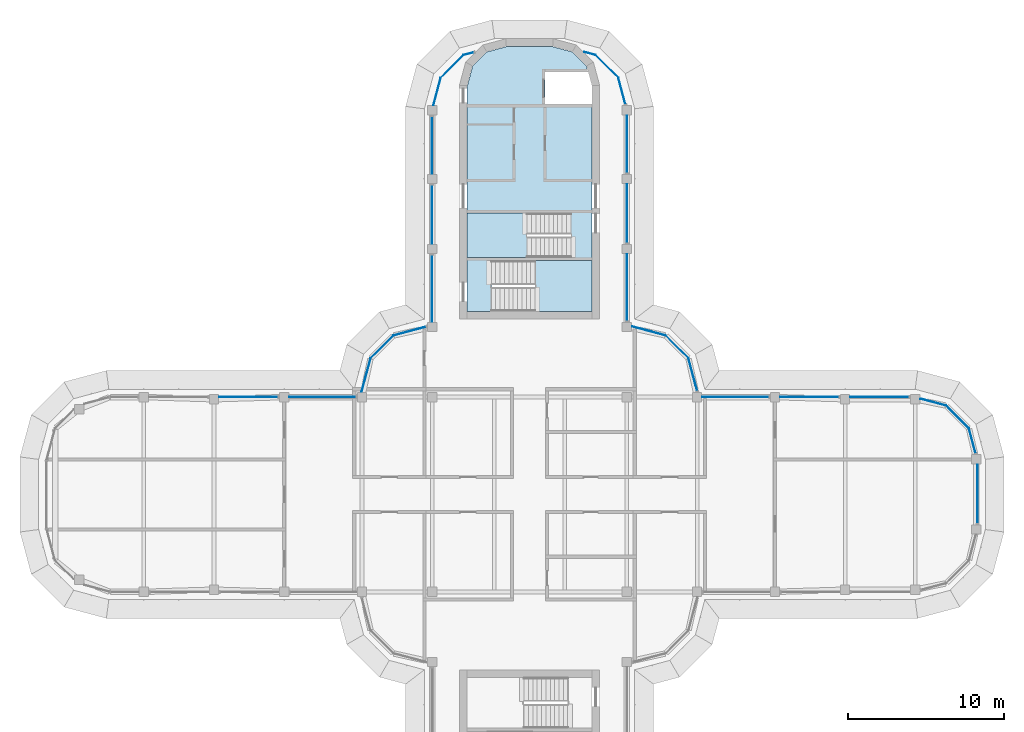
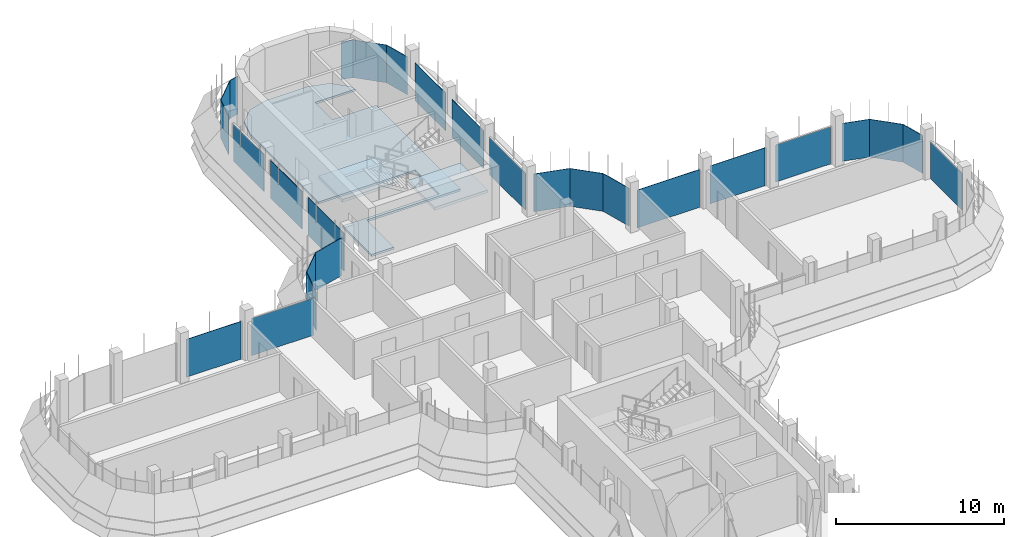
# One storey, part 12 of 19: 27 plates, 3 slabs, 22 elements without a shape of their own.
"""IFC4 building model written with IfcOpenShell, lengths in metres."""

from ifc_helpers import new_model, si_unit, direction, frame, origin, place, context, subcontext, project, spatial, polyline, outline, extrude, source, transform, mapped, material, layer, layer_set, type_object, element, aggregate, save


model = new_model("IFC4")

# Units and contexts
model_context = context("Model", 3, precision=1e-05, world=origin(), true_north=direction((0.0, 1.0)))
body_context = subcontext(model_context, "Body", "Model", "MODEL_VIEW")
ifc_project = project(units=[si_unit("LENGTHUNIT", "METRE"), si_unit("AREAUNIT", "SQUARE_METRE"), si_unit("VOLUMEUNIT", "CUBIC_METRE"), si_unit("PLANEANGLEUNIT", "RADIAN"), si_unit("MASSUNIT", "GRAM", prefix="KILO")], contexts=[model_context])

# Site, building, storey
site_placement = place(None, origin())
site = spatial("IfcSite", under=ifc_project, at=site_placement, CompositionType="ELEMENT")
building_placement = place(site_placement, origin())
building = spatial("IfcBuilding", under=site, at=building_placement, Name="Zarbagh Exchange Tower", CompositionType="ELEMENT")
storey_placement = place(building_placement, frame((0.0, 0.0, 265.0)))
storey = spatial("IfcBuildingStorey", under=building, at=storey_placement, Name="L65", CompositionType="ELEMENT", Elevation=265.0)

# Slab
ifc_material_1 = material(Name="Concrete C40/50", Category="concrete")
ifc_layer_1 = layer(ifc_material_1, 0.14990234375)
ifc_layer_set_1 = layer_set([ifc_layer_1], Name="Core floor slab 150 C40/50")
slab_type_1 = type_object("IfcSlabType", Name="Core floor slab 150 C40/50", PredefinedType="FLOOR", material=ifc_layer_set_1)
slab_1_placement = place(storey_placement, frame((0.0, 0.0, -0.14990234375)))
element("IfcSlab", 1, at=slab_1_placement, inside=storey, type_object=slab_type_1, Name="S17 core N", PredefinedType="FLOOR", context=body_context, shape_type="SweptSolid", body=[
    extrude(outline(polyline([(-4.0, 11.75), (-4.0, 15.199951171875), (2.64990234375, 15.199951171875), (2.64990234375, 18.050048828125), (-4.0, 18.050048828125), (-4.0, 26.18408203125), (-3.64990234375, 27.4912109375), (-2.7412109375, 28.39990234375), (-1.43408203125, 28.75), (1.43408203125, 28.75), (2.7412109375, 28.39990234375), (3.64990234375, 27.4912109375), (3.857666015625, 26.715087890625), (3.754638671875, 27.10009765625), (1.0, 27.10009765625), (1.0, 25.050048828125), (4.0, 25.050048828125), (4.0, 15.0), (-2.449951171875, 15.0), (-2.449951171875, 11.75), (-4.0, 11.75)])), origin(), (0.0, 0.0, 1.0), 0.14990234375),
])

# Stair, slab
stair_type = type_object("IfcStairType", Name="Exit stair two-flight half-turn", PredefinedType="HALF_TURN_STAIR", material=ifc_material_1)
stair_1_placement = place(storey_placement, origin())
stair_1 = element("IfcStair", 2, at=stair_1_placement, inside=storey, type_object=stair_type, Name="exit stair ST1", PredefinedType="HALF_TURN_STAIR")
ifc_layer_2 = layer(ifc_material_1, 0.199951171875)
ifc_layer_set_2 = layer_set([ifc_layer_2], Name="Stair landing 200 mm")
slab_type_2 = type_object("IfcSlabType", Name="Stair landing 200 mm", PredefinedType="LANDING", material=ifc_layer_set_2)
slab_2_placement = place(storey_placement, frame((0.0, 0.0, 1.699951171875)))
slab_2 = element("IfcSlab", 3, at=slab_2_placement, type_object=slab_type_2, Name="ST1 landing 1", PredefinedType="LANDING", context=body_context, shape_type="SweptSolid", body=[
    extrude(outline(polyline([(-0.14990234375, 18.050048828125), (-4.0, 18.050048828125), (-4.0, 15.199951171875), (-0.14990234375, 15.199951171875), (-0.14990234375, 18.050048828125)])), origin(), (0.0, 0.0, 1.0), 0.199951171875),
])
aggregate(stair_1, [slab_2])

stair_2_placement = place(storey_placement, origin())
stair_2 = element("IfcStair", 4, at=stair_2_placement, inside=storey, type_object=stair_type, Name="exit stair ST2", PredefinedType="HALF_TURN_STAIR")
slab_3_placement = place(storey_placement, frame((0.0, 0.0, 1.699951171875)))
slab_3 = element("IfcSlab", 5, at=slab_3_placement, type_object=slab_type_2, Name="ST2 landing 1", PredefinedType="LANDING", context=body_context, shape_type="SweptSolid", body=[
    extrude(outline(polyline([(0.35009765625, 11.75), (4.0, 11.75), (4.0, 15.0), (0.35009765625, 15.0), (0.35009765625, 11.75)])), origin(), (0.0, 0.0, 1.0), 0.199951171875),
])
aggregate(stair_2, [slab_3])

# Curtain wall, plate
ifc_material_2 = material(Name="Anodised aluminium frame and glazing", Category="aluminium")
curtain_wall_type = type_object("IfcCurtainWallType", Name="CWB Ribbon glazing, upper zones", PredefinedType="NOTDEFINED", material=ifc_material_2)
curtain_wall_1_placement = place(storey_placement, origin())
curtain_wall_1 = element("IfcCurtainWall", 6, at=curtain_wall_1_placement, inside=storey, type_object=curtain_wall_type, Name="CWB80 curtain wall", PredefinedType="NOTDEFINED")
ifc_material_3 = material(Name="Low-e double glazed unit, 6+12+6 mm")
ifc_layer_3 = layer(ifc_material_3, 0.031982421875)
ifc_layer_set_3 = layer_set([ifc_layer_3], Name="PAB Glazing panel, Low-e double glazed unit, 6+12+6 mm")
plate_type = type_object("IfcPlateType", Name="PAB Glazing panel, Low-e double glazed unit, 6+12+6 mm", PredefinedType="CURTAIN_PANEL", material=ifc_layer_set_3)
shared_shape_1 = source(origin(), body_context, "Body", "SweptSolid", [
    extrude(outline(polyline([(0.0, -0.01611328125), (2.061279296875, -0.01611328125), (2.061279296875, 0.01611328125), (0.0, 0.01611328125), (0.0, -0.01611328125)])), origin(), (0.0, 0.0, 1.0), 2.75),
])
placement = place(storey_placement, origin())
plate_1 = element("IfcPlate", 7, at=placement, type_object=plate_type, Name="CWB80 glazing panel 1.1", PredefinedType="CURTAIN_PANEL", context=body_context, shape_type="MappedRepresentation", body=[
    mapped(shared_shape_1, transform((28.19873046875, 4.2412109375, 0.0), x_axis=(-0.707106781187, 0.707106781187, 0.0), y_axis=(-0.707106781187, -0.707106781187, 0.0), z_axis=(0.0, 0.0, 1.0))),
])
aggregate(curtain_wall_1, [plate_1])

curtain_wall_2_placement = place(storey_placement, origin())
curtain_wall_2 = element("IfcCurtainWall", 8, at=curtain_wall_2_placement, inside=storey, type_object=curtain_wall_type, Name="CWB18 curtain wall", PredefinedType="NOTDEFINED")
plate_2 = element("IfcPlate", 9, at=placement, type_object=plate_type, Name="CWB18 glazing panel 1.1", PredefinedType="CURTAIN_PANEL", context=body_context, shape_type="MappedRepresentation", body=[
    mapped(shared_shape_1, transform((10.19873046875, 8.7412109375, 0.0), x_axis=(-0.707106781187, 0.707106781187, 0.0), y_axis=(-0.707106781187, -0.707106781187, 0.0), z_axis=(0.0, 0.0, 1.0))),
])
aggregate(curtain_wall_2, [plate_2])

curtain_wall_3_placement = place(storey_placement, origin())
curtain_wall_3 = element("IfcCurtainWall", 10, at=curtain_wall_3_placement, inside=storey, type_object=curtain_wall_type, Name="CWB74 curtain wall", PredefinedType="NOTDEFINED")
plate_3 = element("IfcPlate", 11, at=placement, type_object=plate_type, Name="CWB74 glazing panel 1.1", PredefinedType="CURTAIN_PANEL", context=body_context, shape_type="MappedRepresentation", body=[
    mapped(shared_shape_1, transform((5.69873046875, 26.7412109375, 0.0), x_axis=(-0.707106781187, 0.707106781187, 0.0), y_axis=(-0.707106781187, -0.707106781187, 0.0), z_axis=(0.0, 0.0, 1.0))),
])
aggregate(curtain_wall_3, [plate_3])

curtain_wall_4_placement = place(storey_placement, origin())
curtain_wall_4 = element("IfcCurtainWall", 12, at=curtain_wall_4_placement, inside=storey, type_object=curtain_wall_type, Name="CWB71 curtain wall", PredefinedType="NOTDEFINED")
plate_4 = element("IfcPlate", 13, at=placement, type_object=plate_type, Name="CWB71 glazing panel 1.1", PredefinedType="CURTAIN_PANEL", context=body_context, shape_type="MappedRepresentation", body=[
    mapped(shared_shape_1, transform((-4.2412109375, 28.19873046875, 0.0), x_axis=(-0.707106781187, -0.707106781187, 0.0), y_axis=(0.707106781187, -0.707106781187, 0.0), z_axis=(0.0, 0.0, 1.0))),
])
aggregate(curtain_wall_4, [plate_4])

curtain_wall_5_placement = place(storey_placement, origin())
curtain_wall_5 = element("IfcCurtainWall", 14, at=curtain_wall_5_placement, inside=storey, type_object=curtain_wall_type, Name="CWB30 curtain wall", PredefinedType="NOTDEFINED")
plate_5 = element("IfcPlate", 15, at=placement, type_object=plate_type, Name="CWB30 glazing panel 1.1", PredefinedType="CURTAIN_PANEL", context=body_context, shape_type="MappedRepresentation", body=[
    mapped(shared_shape_1, transform((-8.7412109375, 10.19873046875, 0.0), x_axis=(-0.707106781187, -0.707106781187, 0.0), y_axis=(0.707106781187, -0.707106781187, 0.0), z_axis=(0.0, 0.0, 1.0))),
])
aggregate(curtain_wall_5, [plate_5])

curtain_wall_6_placement = place(storey_placement, origin())
curtain_wall_6 = element("IfcCurtainWall", 16, at=curtain_wall_6_placement, inside=storey, type_object=curtain_wall_type, Name="CWB81 curtain wall", PredefinedType="NOTDEFINED")
shared_shape_2 = source(origin(), body_context, "Body", "SweptSolid", [
    extrude(outline(polyline([(0.0, -0.01611328125), (1.70947265625, -0.01611328125), (1.70947265625, 0.01611328125), (0.0, 0.01611328125), (0.0, -0.01611328125)])), origin(), (0.0, 0.0, 1.0), 2.75),
])
plate_6 = element("IfcPlate", 17, at=placement, type_object=plate_type, Name="CWB81 glazing panel 1.1", PredefinedType="CURTAIN_PANEL", context=body_context, shape_type="MappedRepresentation", body=[
    mapped(shared_shape_2, transform((26.7412109375, 5.69873046875, 0.0), x_axis=(-0.965924289636, 0.258824779902, 0.0), y_axis=(-0.258824779902, -0.965924289636, 0.0), z_axis=(0.0, 0.0, 1.0))),
])
aggregate(curtain_wall_6, [plate_6])

curtain_wall_7_placement = place(storey_placement, origin())
curtain_wall_7 = element("IfcCurtainWall", 18, at=curtain_wall_7_placement, inside=storey, type_object=curtain_wall_type, Name="CWB79 curtain wall", PredefinedType="NOTDEFINED")
shared_shape_3 = source(origin(), body_context, "Body", "SweptSolid", [
    extrude(outline(polyline([(0.0, -0.01611328125), (1.6494140625, -0.01611328125), (1.6494140625, 0.01611328125), (0.0, 0.01611328125), (0.0, -0.01611328125)])), origin(), (0.0, 0.0, 1.0), 2.75),
])
plate_7 = element("IfcPlate", 19, at=placement, type_object=plate_type, Name="CWB79 glazing panel 1.1", PredefinedType="CURTAIN_PANEL", context=body_context, shape_type="MappedRepresentation", body=[
    mapped(shared_shape_3, transform((28.625732421875, 2.64794921875, 0.0), x_axis=(-0.258824779902, 0.965924289636, 0.0), y_axis=(-0.965924289636, -0.258824779902, 0.0), z_axis=(0.0, 0.0, 1.0))),
])
aggregate(curtain_wall_7, [plate_7])

curtain_wall_8_placement = place(storey_placement, origin())
curtain_wall_8 = element("IfcCurtainWall", 20, at=curtain_wall_8_placement, inside=storey, type_object=curtain_wall_type, Name="CWB67 curtain wall", PredefinedType="NOTDEFINED")
shared_shape_4 = source(origin(), body_context, "Body", "SweptSolid", [
    extrude(outline(polyline([(0.0, -0.01611328125), (3.659912109375, -0.01611328125), (3.659912109375, 0.01611328125), (0.0, 0.01611328125), (0.0, -0.01611328125)])), origin(), (0.0, 0.0, 1.0), 2.75),
])
plate_8 = element("IfcPlate", 21, at=placement, type_object=plate_type, Name="CWB67 glazing panel 3.1", PredefinedType="CURTAIN_PANEL", context=body_context, shape_type="MappedRepresentation", body=[
    mapped(shared_shape_4, transform((6.25, 20.650146484375, 0.0), x_axis=(0.0, 1.0, 0.0), y_axis=(-1.0, 0.0, 0.0), z_axis=(0.0, 0.0, 1.0))),
])

curtain_wall_9_placement = place(storey_placement, origin())
curtain_wall_9 = element("IfcCurtainWall", 22, at=curtain_wall_9_placement, inside=storey, type_object=curtain_wall_type, Name="CWB69 curtain wall", PredefinedType="NOTDEFINED")
shared_shape_5 = source(origin(), body_context, "Body", "SweptSolid", [
    extrude(outline(polyline([(0.0, -0.01611328125), (0.757080078125, -0.01611328125), (0.757080078125, 0.01611328125), (0.0, 0.01611328125), (0.0, -0.01611328125)])), origin(), (0.0, 0.0, 1.0), 2.75),
])
plate_9 = element("IfcPlate", 23, at=placement, type_object=plate_type, Name="CWB69 glazing panel 1.1", PredefinedType="CURTAIN_PANEL", context=body_context, shape_type="MappedRepresentation", body=[
    mapped(shared_shape_5, transform((4.2412109375, 28.19873046875, 0.0), x_axis=(-0.965924289636, 0.258824779902, 0.0), y_axis=(-0.258824779902, -0.965924289636, 0.0), z_axis=(0.0, 0.0, 1.0))),
])
aggregate(curtain_wall_9, [plate_9])

curtain_wall_10_placement = place(storey_placement, origin())
curtain_wall_10 = element("IfcCurtainWall", 24, at=curtain_wall_10_placement, inside=storey, type_object=curtain_wall_type, Name="CWB70 curtain wall", PredefinedType="NOTDEFINED")
shared_shape_6 = source(origin(), body_context, "Body", "SweptSolid", [
    extrude(outline(polyline([(0.0, -0.01611328125), (0.697021484375, -0.01611328125), (0.697021484375, 0.01611328125), (0.0, 0.01611328125), (0.0, -0.01611328125)])), origin(), (0.0, 0.0, 1.0), 2.75),
])
plate_10 = element("IfcPlate", 25, at=placement, type_object=plate_type, Name="CWB70 glazing panel 1.1", PredefinedType="CURTAIN_PANEL", context=body_context, shape_type="MappedRepresentation", body=[
    mapped(shared_shape_6, transform((-3.56787109375, 28.379150390625, 0.0), x_axis=(-0.965924289636, -0.258824779902, 0.0), y_axis=(0.258824779902, -0.965924289636, 0.0), z_axis=(0.0, 0.0, 1.0))),
])
aggregate(curtain_wall_10, [plate_10])

curtain_wall_11_placement = place(storey_placement, origin())
curtain_wall_11 = element("IfcCurtainWall", 26, at=curtain_wall_11_placement, inside=storey, type_object=curtain_wall_type, Name="CWB72 curtain wall", PredefinedType="NOTDEFINED")
shared_shape_7 = source(origin(), body_context, "Body", "SweptSolid", [
    extrude(outline(polyline([(0.0, -0.01611328125), (1.81298828125, -0.01611328125), (1.81298828125, 0.01611328125), (0.0, 0.01611328125), (0.0, -0.01611328125)])), origin(), (0.0, 0.0, 1.0), 2.75),
])
plate_11 = element("IfcPlate", 27, at=placement, type_object=plate_type, Name="CWB72 glazing panel 1.1", PredefinedType="CURTAIN_PANEL", context=body_context, shape_type="MappedRepresentation", body=[
    mapped(shared_shape_7, transform((-5.69873046875, 26.7412109375, 0.0), x_axis=(-0.258824779902, -0.965924289636, 0.0), y_axis=(0.965924289636, -0.258824779902, 0.0), z_axis=(0.0, 0.0, 1.0))),
])
aggregate(curtain_wall_11, [plate_11])

curtain_wall_12_placement = place(storey_placement, origin())
curtain_wall_12 = element("IfcCurtainWall", 28, at=curtain_wall_12_placement, inside=storey, type_object=curtain_wall_type, Name="CWB82 curtain wall", PredefinedType="NOTDEFINED")
shared_shape_8 = source(origin(), body_context, "Body", "SweptSolid", [
    extrude(outline(polyline([(0.0, -0.01611328125), (3.760009765625, -0.01611328125), (3.760009765625, 0.01611328125), (0.0, 0.01611328125), (0.0, -0.01611328125)])), origin(), (0.0, 0.0, 1.0), 2.75),
])
plate_12 = element("IfcPlate", 29, at=placement, type_object=plate_type, Name="CWB82 glazing panel 2.1", PredefinedType="CURTAIN_PANEL", context=body_context, shape_type="MappedRepresentation", body=[
    mapped(shared_shape_8, transform((19.849853515625, 6.25, 0.0), x_axis=(-1.0, 0.0, 0.0), y_axis=(0.0, -1.0, 0.0), z_axis=(0.0, 0.0, 1.0))),
])

# Plate
plate_13 = element("IfcPlate", 30, at=placement, type_object=plate_type, Name="CWB67 glazing panel 2.1", PredefinedType="CURTAIN_PANEL", context=body_context, shape_type="MappedRepresentation", body=[
    mapped(shared_shape_8, transform((6.25, 16.150146484375, 0.0), x_axis=(0.0, 1.0, 0.0), y_axis=(-1.0, 0.0, 0.0), z_axis=(0.0, 0.0, 1.0))),
])

# Curtain wall, plate
curtain_wall_13_placement = place(storey_placement, origin())
curtain_wall_13 = element("IfcCurtainWall", 31, at=curtain_wall_13_placement, inside=storey, type_object=curtain_wall_type, Name="CWB73 curtain wall", PredefinedType="NOTDEFINED")
plate_14 = element("IfcPlate", 32, at=placement, type_object=plate_type, Name="CWB73 glazing panel 2.1", PredefinedType="CURTAIN_PANEL", context=body_context, shape_type="MappedRepresentation", body=[
    mapped(shared_shape_8, transform((-6.25, 19.849853515625, 0.0), x_axis=(0.0, -1.0, 0.0), y_axis=(1.0, 0.0, 0.0), z_axis=(0.0, 0.0, 1.0))),
])

curtain_wall_14_placement = place(storey_placement, origin())
curtain_wall_14 = element("IfcCurtainWall", 33, at=curtain_wall_14_placement, inside=storey, type_object=curtain_wall_type, Name="CWB58 curtain wall", PredefinedType="NOTDEFINED")
plate_15 = element("IfcPlate", 34, at=placement, type_object=plate_type, Name="CWB58 glazing panel 2.1", PredefinedType="CURTAIN_PANEL", context=body_context, shape_type="MappedRepresentation", body=[
    mapped(shared_shape_8, transform((-16.150146484375, 6.25, 0.0), x_axis=(-1.0, 0.0, 0.0), y_axis=(0.0, -1.0, 0.0), z_axis=(0.0, 0.0, 1.0))),
])

# Plate
shared_shape_9 = source(origin(), body_context, "Body", "SweptSolid", [
    extrude(outline(polyline([(0.0, -0.01611328125), (4.260009765625, -0.01611328125), (4.260009765625, 0.01611328125), (0.0, 0.01611328125), (0.0, -0.01611328125)])), origin(), (0.0, 0.0, 1.0), 2.75),
])
plate_16 = element("IfcPlate", 35, at=placement, type_object=plate_type, Name="CWB82 glazing panel 3.1", PredefinedType="CURTAIN_PANEL", context=body_context, shape_type="MappedRepresentation", body=[
    mapped(shared_shape_9, transform((15.349853515625, 6.25, 0.0), x_axis=(-1.0, 0.0, 0.0), y_axis=(0.0, -1.0, 0.0), z_axis=(0.0, 0.0, 1.0))),
])

plate_17 = element("IfcPlate", 36, at=placement, type_object=plate_type, Name="CWB73 glazing panel 3.1", PredefinedType="CURTAIN_PANEL", context=body_context, shape_type="MappedRepresentation", body=[
    mapped(shared_shape_9, transform((-6.25, 15.349853515625, 0.0), x_axis=(0.0, -1.0, 0.0), y_axis=(1.0, 0.0, 0.0), z_axis=(0.0, 0.0, 1.0))),
])

# Curtain wall, plate
curtain_wall_15_placement = place(storey_placement, origin())
curtain_wall_15 = element("IfcCurtainWall", 37, at=curtain_wall_15_placement, inside=storey, type_object=curtain_wall_type, Name="CWB17 curtain wall", PredefinedType="NOTDEFINED")
shared_shape_10 = source(origin(), body_context, "Body", "SweptSolid", [
    extrude(outline(polyline([(0.0, -0.01611328125), (2.1669921875, -0.01611328125), (2.1669921875, 0.01611328125), (0.0, 0.01611328125), (0.0, -0.01611328125)])), origin(), (0.0, 0.0, 1.0), 2.75),
])
plate_18 = element("IfcPlate", 38, at=placement, type_object=plate_type, Name="CWB17 glazing panel 1.1", PredefinedType="CURTAIN_PANEL", context=body_context, shape_type="MappedRepresentation", body=[
    mapped(shared_shape_10, transform((10.759765625, 6.64794921875, 0.0), x_axis=(-0.258824779902, 0.965924289636, 0.0), y_axis=(-0.965924289636, -0.258824779902, 0.0), z_axis=(0.0, 0.0, 1.0))),
])
aggregate(curtain_wall_15, [plate_18])

curtain_wall_16_placement = place(storey_placement, origin())
curtain_wall_16 = element("IfcCurtainWall", 39, at=curtain_wall_16_placement, inside=storey, type_object=curtain_wall_type, Name="CWB29 curtain wall", PredefinedType="NOTDEFINED")
plate_19 = element("IfcPlate", 40, at=placement, type_object=plate_type, Name="CWB29 glazing panel 1.1", PredefinedType="CURTAIN_PANEL", context=body_context, shape_type="MappedRepresentation", body=[
    mapped(shared_shape_10, transform((-6.64794921875, 10.759765625, 0.0), x_axis=(-0.965924289636, -0.258824779902, 0.0), y_axis=(0.258824779902, -0.965924289636, 0.0), z_axis=(0.0, 0.0, 1.0))),
])
aggregate(curtain_wall_16, [plate_19])

curtain_wall_17_placement = place(storey_placement, origin())
curtain_wall_17 = element("IfcCurtainWall", 41, at=curtain_wall_17_placement, inside=storey, type_object=curtain_wall_type, Name="CWB19 curtain wall", PredefinedType="NOTDEFINED")
shared_shape_11 = source(origin(), body_context, "Body", "SweptSolid", [
    extrude(outline(polyline([(0.0, -0.01611328125), (2.22705078125, -0.01611328125), (2.22705078125, 0.01611328125), (0.0, 0.01611328125), (0.0, -0.01611328125)])), origin(), (0.0, 0.0, 1.0), 2.75),
])
plate_20 = element("IfcPlate", 42, at=placement, type_object=plate_type, Name="CWB19 glazing panel 1.1", PredefinedType="CURTAIN_PANEL", context=body_context, shape_type="MappedRepresentation", body=[
    mapped(shared_shape_11, transform((8.7412109375, 10.19873046875, 0.0), x_axis=(-0.965924289636, 0.258824779902, 0.0), y_axis=(-0.258824779902, -0.965924289636, 0.0), z_axis=(0.0, 0.0, 1.0))),
])
aggregate(curtain_wall_17, [plate_20])

curtain_wall_18_placement = place(storey_placement, origin())
curtain_wall_18 = element("IfcCurtainWall", 43, at=curtain_wall_18_placement, inside=storey, type_object=curtain_wall_type, Name="CWB31 curtain wall", PredefinedType="NOTDEFINED")
plate_21 = element("IfcPlate", 44, at=placement, type_object=plate_type, Name="CWB31 glazing panel 1.1", PredefinedType="CURTAIN_PANEL", context=body_context, shape_type="MappedRepresentation", body=[
    mapped(shared_shape_11, transform((-10.19873046875, 8.7412109375, 0.0), x_axis=(-0.258824779902, -0.965924289636, 0.0), y_axis=(0.965924289636, -0.258824779902, 0.0), z_axis=(0.0, 0.0, 1.0))),
])
aggregate(curtain_wall_18, [plate_21])

# Plate
shared_shape_12 = source(origin(), body_context, "Body", "SweptSolid", [
    extrude(outline(polyline([(0.0, -0.01611328125), (4.260009765625, -0.01611328125), (4.260009765625, 0.01611328125), (0.0, 0.01611328125), (0.0, -0.01611328125)])), origin(), (0.0, 0.0, 1.0), 2.68994140625),
])
plate_22 = element("IfcPlate", 45, at=placement, type_object=plate_type, Name="CWB67 glazing panel 1.1", PredefinedType="CURTAIN_PANEL", context=body_context, shape_type="MappedRepresentation", body=[
    mapped(shared_shape_12, transform((6.25, 11.150146484375, 0.0), x_axis=(0.0, 1.0, 0.0), y_axis=(-1.0, 0.0, 0.0), z_axis=(0.0, 0.0, 1.0))),
])

aggregate(curtain_wall_8, [plate_22, plate_13, plate_8])

plate_23 = element("IfcPlate", 46, at=placement, type_object=plate_type, Name="CWB58 glazing panel 1.1", PredefinedType="CURTAIN_PANEL", context=body_context, shape_type="MappedRepresentation", body=[
    mapped(shared_shape_12, transform((-11.150146484375, 6.25, 0.0), x_axis=(-1.0, 0.0, 0.0), y_axis=(0.0, -1.0, 0.0), z_axis=(0.0, 0.0, 1.0))),
])

aggregate(curtain_wall_14, [plate_23, plate_15])

# Curtain wall, plate
curtain_wall_19_placement = place(storey_placement, origin())
curtain_wall_19 = element("IfcCurtainWall", 47, at=curtain_wall_19_placement, inside=storey, type_object=curtain_wall_type, Name="CWB83 curtain wall", PredefinedType="NOTDEFINED")
shared_shape_13 = source(origin(), body_context, "Body", "SweptSolid", [
    extrude(outline(polyline([(0.0, -0.01611328125), (3.760009765625, -0.01611328125), (3.760009765625, 0.01611328125), (0.0, 0.01611328125), (0.0, -0.01611328125)])), origin(), (0.0, 0.0, 1.0), 2.68994140625),
])
plate_24 = element("IfcPlate", 48, at=placement, type_object=plate_type, Name="CWB83 glazing panel 1.1", PredefinedType="CURTAIN_PANEL", context=body_context, shape_type="MappedRepresentation", body=[
    mapped(shared_shape_13, transform((28.75, -1.849853515625, 0.0), x_axis=(0.0, 1.0, 0.0), y_axis=(-1.0, 0.0, 0.0), z_axis=(0.0, 0.0, 1.0))),
])
aggregate(curtain_wall_19, [plate_24])

# Plate
plate_25 = element("IfcPlate", 49, at=placement, type_object=plate_type, Name="CWB82 glazing panel 1.1", PredefinedType="CURTAIN_PANEL", context=body_context, shape_type="MappedRepresentation", body=[
    mapped(shared_shape_13, transform((24.349853515625, 6.25, 0.0), x_axis=(-1.0, 0.0, 0.0), y_axis=(0.0, -1.0, 0.0), z_axis=(0.0, 0.0, 1.0))),
])

aggregate(curtain_wall_12, [plate_25, plate_12, plate_16])

# Curtain wall, plate
curtain_wall_20_placement = place(storey_placement, origin())
curtain_wall_20 = element("IfcCurtainWall", 50, at=curtain_wall_20_placement, inside=storey, type_object=curtain_wall_type, Name="CWB68 curtain wall", PredefinedType="NOTDEFINED")
shared_shape_14 = source(origin(), body_context, "Body", "SweptSolid", [
    extrude(outline(polyline([(0.0, -0.01611328125), (1.7529296875, -0.01611328125), (1.7529296875, 0.01611328125), (0.0, 0.01611328125), (0.0, -0.01611328125)])), origin(), (0.0, 0.0, 1.0), 2.75),
])
plate_26 = element("IfcPlate", 51, at=placement, type_object=plate_type, Name="CWB68 glazing panel 1.1", PredefinedType="CURTAIN_PANEL", context=body_context, shape_type="MappedRepresentation", body=[
    mapped(shared_shape_14, transform((6.152587890625, 25.0478515625, 0.0), x_axis=(-0.258824779902, 0.965924289636, 0.0), y_axis=(-0.965924289636, -0.258824779902, 0.0), z_axis=(0.0, 0.0, 1.0))),
])
aggregate(curtain_wall_20, [plate_26])

# Plate
shared_shape_15 = source(origin(), body_context, "Body", "SweptSolid", [
    extrude(outline(polyline([(0.0, -0.01611328125), (3.659912109375, -0.01611328125), (3.659912109375, 0.01611328125), (0.0, 0.01611328125), (0.0, -0.01611328125)])), origin(), (0.0, 0.0, 1.0), 2.68994140625),
])
plate_27 = element("IfcPlate", 52, at=placement, type_object=plate_type, Name="CWB73 glazing panel 1.1", PredefinedType="CURTAIN_PANEL", context=body_context, shape_type="MappedRepresentation", body=[
    mapped(shared_shape_15, transform((-6.25, 24.25, 0.0), x_axis=(0.0, -1.0, 0.0), y_axis=(1.0, 0.0, 0.0), z_axis=(0.0, 0.0, 1.0))),
])

aggregate(curtain_wall_13, [plate_27, plate_14, plate_17])

save(model, "model.ifc")
